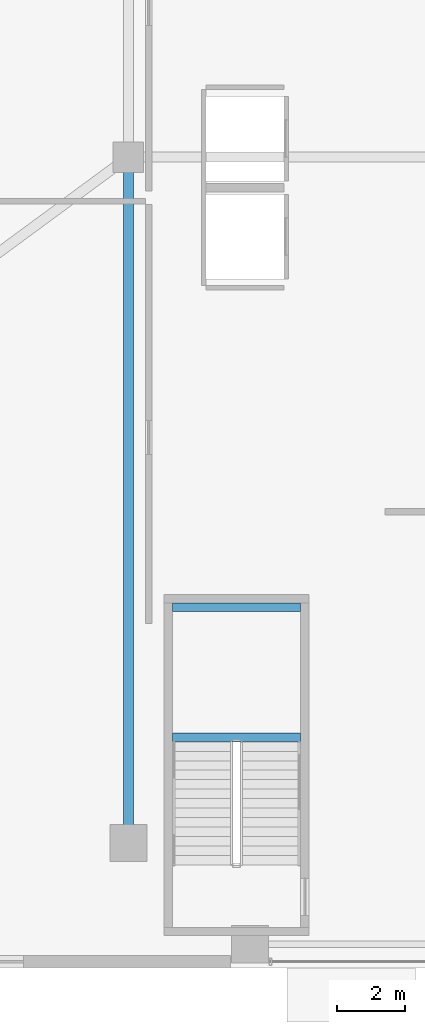
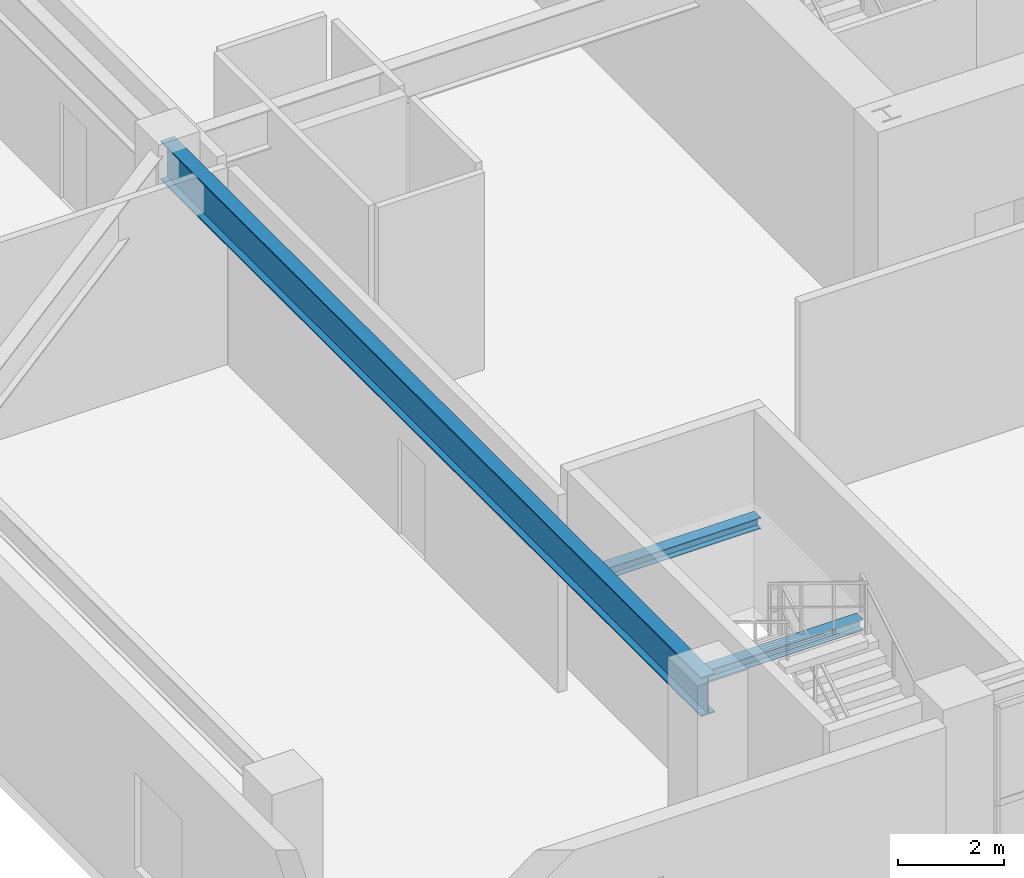
# One storey, part 6 of 37: 3 beams.
"""IFC4 building model written with IfcOpenShell, lengths in metres."""

from ifc_helpers import new_model, si_unit, direction, frame, origin, origin_2d, place, context, subcontext, project, spatial, i_section, extrude, source, transform, mapped, material, material_profile, profile_set, type_object, element, save


model = new_model("IFC4")

# Units and contexts
model_context = context("Model", 3, precision=1e-05, world=origin(), true_north=direction((0.0, 1.0)))
body_context = subcontext(model_context, "Body", "Model", "MODEL_VIEW")
ifc_project = project(units=[si_unit("LENGTHUNIT", "METRE"), si_unit("AREAUNIT", "SQUARE_METRE"), si_unit("VOLUMEUNIT", "CUBIC_METRE"), si_unit("PLANEANGLEUNIT", "RADIAN"), si_unit("MASSUNIT", "GRAM", prefix="KILO"), si_unit("THERMODYNAMICTEMPERATUREUNIT", "KELVIN"), si_unit("POWERUNIT", "WATT")], contexts=[model_context])

# Site, building, storey
site_placement = place(None, origin())
site = spatial("IfcSite", under=ifc_project, at=site_placement, CompositionType="ELEMENT")
building_placement = place(site_placement, origin())
building = spatial("IfcBuilding", under=site, at=building_placement, Name="Yuzanri Waterfront Tower", CompositionType="ELEMENT")
storey_placement = place(building_placement, frame((0.0, 0.0, 5.39990234375)))
storey = spatial("IfcBuildingStorey", under=building, at=storey_placement, Name="L02", CompositionType="ELEMENT", Elevation=5.39990234375)

# Beams
ifc_material_1 = material(Name="Steel Q355B", Category="steel")
ifc_material_profile_1 = material_profile(ifc_material_1, i_section(OverallWidth=0.300048828125, OverallDepth=0.89990234375, WebThickness=0.01611328125, FlangeThickness=0.028076171875, at=origin_2d()), Name="HN 900x300x16x28")
ifc_profile_set_1 = profile_set([ifc_material_profile_1], Name="Steel Q355B")
beam_type_1 = type_object("IfcBeamType", Name="Primary Podium Girder Q355B HN 900x300", PredefinedType="BEAM", material=ifc_profile_set_1)
shared_shape_1 = source(origin(), body_context, "Body", "SweptSolid", [
    extrude(i_section(OverallWidth=0.300048828125, OverallDepth=0.89990234375, WebThickness=0.01611328125, FlangeThickness=0.028076171875, at=origin_2d()), origin(), (0.0, 0.0, 1.0), 20.300048828125),
])
beam_placement = place(storey_placement, frame((11.89990234375, 5.5, 4.070068359375), z_axis=(0.0, 1.0, 0.0), x_axis=(-1.0, 0.0, 0.0)))
element("IfcBeam", 1, at=beam_placement, inside=storey, type_object=beam_type_1, Name="L02 Podium Spine Girder S", PredefinedType="BEAM", context=body_context, shape_type="MappedRepresentation", body=[
    mapped(shared_shape_1, transform((0.0, 0.0, 0.0), scale=1.0)),
])
ifc_material_2 = material(Name="Steel Q355B", Category="steel")
ifc_material_profile_2 = material_profile(ifc_material_2, i_section(OverallWidth=0.25, OverallDepth=0.25, WebThickness=0.009033203125, FlangeThickness=0.013916015625, at=origin_2d()), Name="HW 250x250x9x14")
ifc_profile_set_2 = profile_set([ifc_material_profile_2], Name="Steel Q355B")
beam_type_2 = type_object("IfcBeamType", Name="Stair Landing Support Beam Q355B HW 250x250", PredefinedType="BEAM", material=ifc_profile_set_2)
shared_shape_2 = source(origin(), body_context, "Body", "SweptSolid", [
    extrude(i_section(OverallWidth=0.25, OverallDepth=0.25, WebThickness=0.009033203125, FlangeThickness=0.013916015625, at=origin_2d()), origin(), (0.0, 0.0, 1.0), 3.800048828125),
])
for number, where, z_axis, x_axis, name in (
    (2, (13.199951171875, 8.6201171875, 2.0751953125), (1.0, 0.0, 0.0), (0.0, 1.0, 0.0), "L02 Stair Landing Support Beam PST-01-L02-L1-1"),
    (3, (13.199951171875, 12.469970703125, 2.0751953125), (1.0, 0.0, 0.0), (0.0, 1.0, 0.0), "L02 Stair Landing Support Beam PST-01-L02-L1-2"),
):
    element("IfcBeam", number, at=place(storey_placement, frame(where, z_axis=z_axis, x_axis=x_axis)), inside=storey, type_object=beam_type_2, Name=name, PredefinedType="BEAM", context=body_context, shape_type="MappedRepresentation", body=[
        mapped(shared_shape_2, transform((0.0, 0.0, 0.0), scale=1.0)),
    ])

save(model, "model.ifc")
